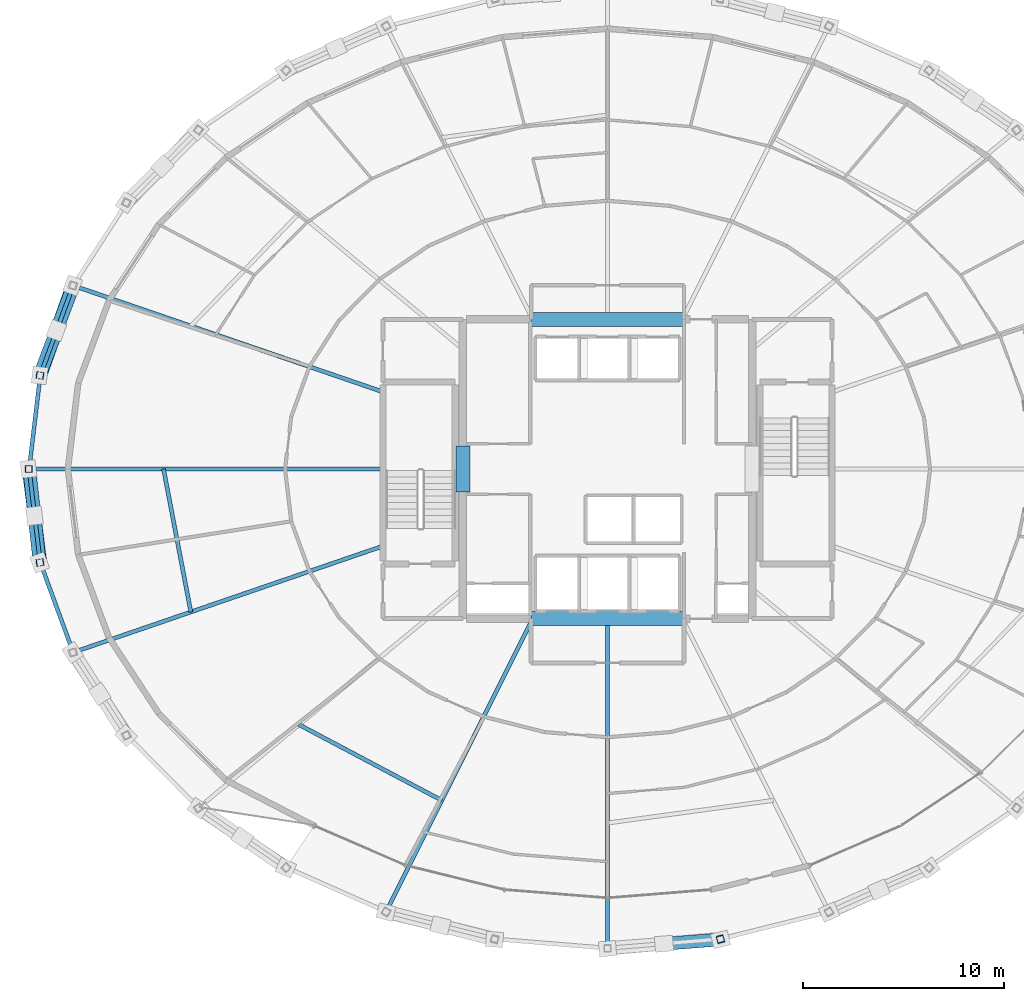
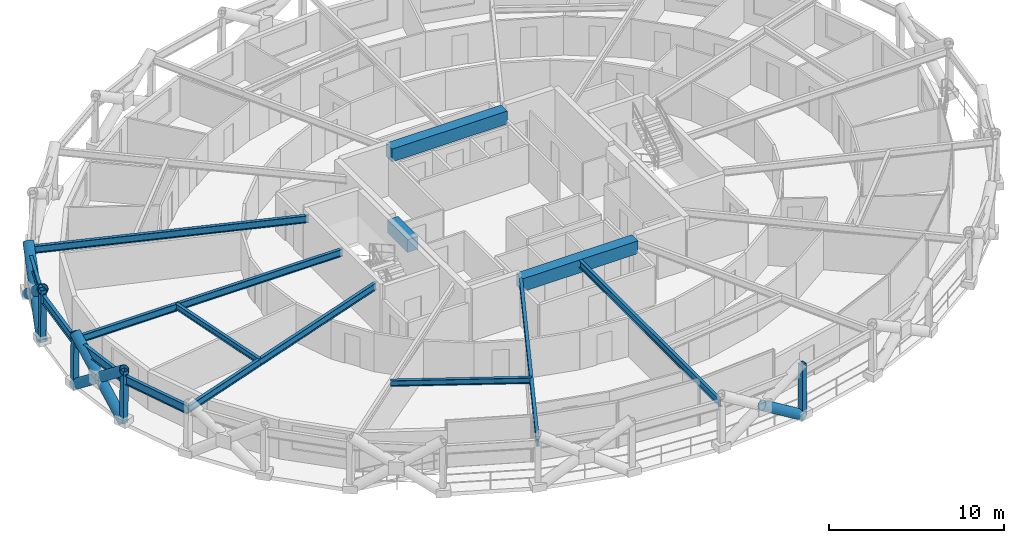
# One storey, part 5 of 23: 14 beams, 11 members.
"""IFC4 building model written with IfcOpenShell, lengths in metres."""

from ifc_helpers import new_model, si_unit, direction, frame, origin, origin_2d, place, context, subcontext, project, spatial, rectangle, hollow_rectangle, hollow_circle, i_section, extrude, material, material_profile, profile_set, type_object, element, save


model = new_model("IFC4")

# Units and contexts
model_context = context("Model", 3, precision=1e-05, world=origin(), true_north=direction((0.0, 1.0)))
body_context = subcontext(model_context, "Body", "Model", "MODEL_VIEW")
ifc_project = project(units=[si_unit("LENGTHUNIT", "METRE"), si_unit("AREAUNIT", "SQUARE_METRE"), si_unit("VOLUMEUNIT", "CUBIC_METRE"), si_unit("PLANEANGLEUNIT", "RADIAN"), si_unit("MASSUNIT", "GRAM", prefix="KILO")], contexts=[model_context])

# Site, building, storey
site_placement = place(None, origin())
site = spatial("IfcSite", under=ifc_project, at=site_placement, CompositionType="ELEMENT")
building_placement = place(site_placement, origin())
building = spatial("IfcBuilding", under=site, at=building_placement, Name="Veldorina Hangang Commons", CompositionType="ELEMENT")
storey_placement = place(building_placement, frame((0.0, 0.0, 102.39990234375)))
storey = spatial("IfcBuildingStorey", under=building, at=storey_placement, Name="L26", CompositionType="ELEMENT", Elevation=102.39990234375)

# Beams
ifc_material_1 = material(Name="Concrete C70/85", Category="concrete")
ifc_material_profile_1 = material_profile(ifc_material_1, rectangle(XDim=0.699951171875, YDim=0.89990234375, at=origin_2d()), Name="RC-CB-700x900")
ifc_profile_set_1 = profile_set([ifc_material_profile_1], Name="Concrete C70/85")
beam_type_1 = type_object("IfcBeamType", Name="BM-CB900", PredefinedType="LINTEL", material=ifc_profile_set_1)
beam_1_placement = place(storey_placement, frame((24.800048828125, 22.85009765625, 2.85009765625), z_axis=(0.0, 1.0, 0.0), x_axis=(-1.0, 0.0, 0.0)))
element("IfcBeam", 1, at=beam_1_placement, inside=storey, type_object=beam_type_1, Name="L26 W core coupling lintel beam", PredefinedType="LINTEL", context=body_context, shape_type="SweptSolid", body=[
    extrude(rectangle(XDim=0.699951171875, YDim=0.89990234375, at=origin_2d()), origin(), (0.0, 0.0, 1.0), 2.2998046875),
])
for number, where, z_axis, x_axis, name in (
    (2, (28.199951171875, 16.550048828125, 2.85009765625), (1.0, 0.0, 0.0), (0.0, 1.0, 0.0), "L26 south core coupling beam"),
    (3, (28.199951171875, 31.449951171875, 2.85009765625), (1.0, 0.0, 0.0), (0.0, 1.0, 0.0), "L26 north core coupling beam"),
):
    element("IfcBeam", number, at=place(storey_placement, frame(where, z_axis=z_axis, x_axis=x_axis)), inside=storey, type_object=beam_type_1, Name=name, PredefinedType="LINTEL", context=body_context, shape_type="SweptSolid", body=[
        extrude(rectangle(XDim=0.699951171875, YDim=0.89990234375, at=origin_2d()), origin(), (0.0, 0.0, 1.0), 7.60009765625),
    ])
ifc_material_2 = material(Name="Steel SM420-TMC", Category="steel")
ifc_material_profile_2 = material_profile(ifc_material_2, i_section(OverallWidth=0.199951171875, OverallDepth=0.5, WebThickness=0.010009765625, FlangeThickness=0.01611328125, FilletRadius=0.01611328125, at=origin_2d()), Name="H-500x200x10x16")
ifc_profile_set_2 = profile_set([ifc_material_profile_2], Name="Steel SM420-TMC")
beam_type_2 = type_object("IfcBeamType", Name="BM-FG500", PredefinedType="BEAM", material=ifc_profile_set_2)
beam_2_placement = place(storey_placement, frame((20.820068359375, 27.8369140625, 3.050048828125), z_axis=(-0.945852956014, 0.324595418327, 0.0), x_axis=(-0.324595418327, -0.945852956014, 0.0)))
element("IfcBeam", 4, at=beam_2_placement, inside=storey, type_object=beam_type_2, Name="L26 radial floor girder 08", PredefinedType="BEAM", context=body_context, shape_type="SweptSolid", body=[
    extrude(i_section(OverallWidth=0.199951171875, OverallDepth=0.5, WebThickness=0.010009765625, FlangeThickness=0.01611328125, FilletRadius=0.01611328125, at=origin_2d()), origin(), (0.0, 0.0, 1.0), 16.30029296875),
])
beam_3_placement = place(storey_placement, frame((20.820068359375, 24.0, 3.050048828125), z_axis=(-1.0, 0.0, 0.0), x_axis=(0.0, -1.0, 0.0)))
element("IfcBeam", 5, at=beam_3_placement, inside=storey, type_object=beam_type_2, Name="L26 radial floor girder 09", PredefinedType="BEAM", context=body_context, shape_type="SweptSolid", body=[
    extrude(i_section(OverallWidth=0.199951171875, OverallDepth=0.5, WebThickness=0.010009765625, FlangeThickness=0.01611328125, FilletRadius=0.01611328125, at=origin_2d()), origin(), (0.0, 0.0, 1.0), 17.609130859375),
])
beam_4_placement = place(storey_placement, frame((20.820068359375, 20.1630859375, 3.050048828125), z_axis=(-0.945852956014, -0.324595418327, 0.0), x_axis=(0.324595418327, -0.945852956014, 0.0)))
element("IfcBeam", 6, at=beam_4_placement, inside=storey, type_object=beam_type_2, Name="L26 radial floor girder 10", PredefinedType="BEAM", context=body_context, shape_type="SweptSolid", body=[
    extrude(i_section(OverallWidth=0.199951171875, OverallDepth=0.5, WebThickness=0.010009765625, FlangeThickness=0.01611328125, FilletRadius=0.01611328125, at=origin_2d()), origin(), (0.0, 0.0, 1.0), 16.30029296875),
])
beam_5_placement = place(storey_placement, frame((28.275390625, 16.550048828125, 3.050048828125), z_axis=(-0.447171677342, -0.894448148851, 0.0), x_axis=(0.894448148851, -0.447171677342, 0.0)))
element("IfcBeam", 7, at=beam_5_placement, inside=storey, type_object=beam_type_2, Name="L26 radial floor girder 12", PredefinedType="BEAM", context=body_context, shape_type="SweptSolid", body=[
    extrude(i_section(OverallWidth=0.199951171875, OverallDepth=0.5, WebThickness=0.010009765625, FlangeThickness=0.01611328125, FilletRadius=0.01611328125, at=origin_2d()), origin(), (0.0, 0.0, 1.0), 16.30810546875),
])
beam_6_placement = place(storey_placement, frame((32.0, 16.550048828125, 3.050048828125), z_axis=(0.0, -1.0, 0.0), x_axis=(1.0, 0.0, 0.0)))
element("IfcBeam", 8, at=beam_6_placement, inside=storey, type_object=beam_type_2, Name="L26 radial floor girder 13", PredefinedType="BEAM", context=body_context, shape_type="SweptSolid", body=[
    extrude(i_section(OverallWidth=0.199951171875, OverallDepth=0.5, WebThickness=0.010009765625, FlangeThickness=0.01611328125, FilletRadius=0.01611328125, at=origin_2d()), origin(), (0.0, 0.0, 1.0), 16.40234375),
])
ifc_material_3 = material(Name="Steel SM355-TMC", Category="steel")
ifc_material_profile_3 = material_profile(ifc_material_3, i_section(OverallWidth=0.199951171875, OverallDepth=0.39990234375, WebThickness=0.008056640625, FlangeThickness=0.012939453125, FilletRadius=0.012939453125, at=origin_2d()), Name="H-400x200x8x13")
ifc_profile_set_3 = profile_set([ifc_material_profile_3], Name="Steel SM355-TMC")
beam_type_3 = type_object("IfcBeamType", Name="BM-JST400", PredefinedType="JOIST", material=ifc_profile_set_3)
beam_7_placement = place(storey_placement, frame((9.90234375, 24.0, 3.10009765625), z_axis=(0.187510012304, -0.982262691588, 0.0), x_axis=(0.982262691588, 0.187510012304, 0.0)))
element("IfcBeam", 9, at=beam_7_placement, inside=storey, type_object=beam_type_3, Name="L26 secondary floor joist 09", PredefinedType="JOIST", context=body_context, shape_type="SweptSolid", body=[
    extrude(i_section(OverallWidth=0.199951171875, OverallDepth=0.39990234375, WebThickness=0.008056640625, FlangeThickness=0.012939453125, FilletRadius=0.012939453125, at=origin_2d()), origin(), (0.0, 0.0, 1.0), 7.24560546875),
])
beam_8_placement = place(storey_placement, frame((16.642578125, 11.276123046875, 3.10009765625), z_axis=(0.883520683716, -0.468392144945, 0.0), x_axis=(0.468392144945, 0.883520683716, 0.0)))
element("IfcBeam", 10, at=beam_8_placement, inside=storey, type_object=beam_type_3, Name="L26 secondary floor joist 11", PredefinedType="JOIST", context=body_context, shape_type="SweptSolid", body=[
    extrude(i_section(OverallWidth=0.199951171875, OverallDepth=0.39990234375, WebThickness=0.008056640625, FlangeThickness=0.012939453125, FilletRadius=0.012939453125, at=origin_2d()), origin(), (0.0, 0.0, 1.0), 8.048828125),
])
ifc_material_profile_4 = material_profile(ifc_material_2, i_section(OverallWidth=0.199951171875, OverallDepth=0.60009765625, WebThickness=0.010986328125, FlangeThickness=0.01708984375, FilletRadius=0.01806640625, at=origin_2d()), Name="H-600x200x11x17")
ifc_profile_set_4 = profile_set([ifc_material_profile_4], Name="Steel SM420-TMC")
beam_type_4 = type_object("IfcBeamType", Name="BM-RB600", PredefinedType="BEAM", material=ifc_profile_set_4)
beam_9_placement = place(storey_placement, frame((5.40234375, 33.1279296875, 3.0), z_axis=(-0.343790927436, -0.939046217293, 0.0), x_axis=(0.939046217293, -0.343790927436, 0.0)))
element("IfcBeam", 11, at=beam_9_placement, inside=storey, type_object=beam_type_4, Name="L26 perimeter hoop ring beam 14", PredefinedType="BEAM", context=body_context, shape_type="SweptSolid", body=[
    extrude(i_section(OverallWidth=0.199951171875, OverallDepth=0.60009765625, WebThickness=0.010986328125, FlangeThickness=0.01708984375, FilletRadius=0.01806640625, at=origin_2d()), origin(), (0.0, 0.0, 1.0), 4.76513671875),
])
for number, where, z_axis, x_axis, name in (
    (12, (3.76416015625, 28.6533203125, 3.0), (-0.118056329225, -0.99300689984, 0.0), (0.99300689984, -0.118056329225, 0.0), "L26 perimeter hoop ring beam 15"),
    (13, (3.2109375, 24.0, 3.0), (0.118056329225, -0.99300689984, 0.0), (0.99300689984, 0.118056329225, 0.0), "L26 perimeter hoop ring beam 16"),
):
    element("IfcBeam", number, at=place(storey_placement, frame(where, z_axis=z_axis, x_axis=x_axis)), inside=storey, type_object=beam_type_4, Name=name, PredefinedType="BEAM", context=body_context, shape_type="SweptSolid", body=[
        extrude(i_section(OverallWidth=0.199951171875, OverallDepth=0.60009765625, WebThickness=0.010986328125, FlangeThickness=0.01708984375, FilletRadius=0.01806640625, at=origin_2d()), origin(), (0.0, 0.0, 1.0), 4.68603515625),
    ])
beam_10_placement = place(storey_placement, frame((3.76416015625, 19.3466796875, 3.0), z_axis=(0.343790927436, -0.939046217293, 0.0), x_axis=(0.939046217293, 0.343790927436, 0.0)))
element("IfcBeam", 14, at=beam_10_placement, inside=storey, type_object=beam_type_4, Name="L26 perimeter hoop ring beam 17", PredefinedType="BEAM", context=body_context, shape_type="SweptSolid", body=[
    extrude(i_section(OverallWidth=0.199951171875, OverallDepth=0.60009765625, WebThickness=0.010986328125, FlangeThickness=0.01708984375, FilletRadius=0.01806640625, at=origin_2d()), origin(), (0.0, 0.0, 1.0), 4.76513671875),
])

# Members
ifc_material_4 = material(Name="Steel SM460-TMC", Category="steel")
ifc_material_profile_5 = material_profile(ifc_material_4, hollow_circle(Radius=0.324951171875, WallThickness=0.031982421875, at=origin_2d()), Name="CHS-650x32")
ifc_profile_set_5 = profile_set([ifc_material_profile_5], Name="Steel SM460-TMC")
member_type_1 = type_object("IfcMemberType", Name="DG-CHS650", PredefinedType="BRACE", material=ifc_profile_set_5)
member_1_placement = place(storey_placement, frame((5.374267578125, 33.135986328125, 0.0), z_axis=(-0.268701900147, -0.751056574474, 0.603086486996), x_axis=(0.941556168768, -0.336856024222, 0.0)))
element("IfcMember", 15, at=member_1_placement, inside=storey, type_object=member_type_1, Name="L26 continuous perimeter diagrid brace 14", PredefinedType="BRACE", context=body_context, shape_type="SweptSolid", body=[
    extrude(hollow_circle(Radius=0.324951171875, WallThickness=0.031982421875, at=origin_2d()), origin(), (0.0, 0.0, 1.0), 5.969482421875),
])
member_2_placement = place(storey_placement, frame((3.734130859375, 28.657470703125, 0.0), z_axis=(0.280100262448, 0.747559925164, 0.602244137593), x_axis=(-0.936425802, 0.350865668523, 0.0)))
element("IfcMember", 16, at=member_2_placement, inside=storey, type_object=member_type_1, Name="L26 split perimeter diagrid lower brace 15", PredefinedType="BRACE", context=body_context, shape_type="SweptSolid", body=[
    extrude(hollow_circle(Radius=0.324951171875, WallThickness=0.031982421875, at=origin_2d()), origin(), (0.0, 0.0, 1.0), 2.990478515625),
])
member_3_placement = place(storey_placement, frame((4.57177734375, 30.89306640625, 1.801025390625), z_axis=(0.280005104125, 0.747579301643, 0.602264335171), x_axis=(-0.936467948192, 0.350753163934, 0.0)))
element("IfcMember", 17, at=member_3_placement, inside=storey, type_object=member_type_1, Name="L26 split perimeter diagrid upper brace 15", PredefinedType="BRACE", context=body_context, shape_type="SweptSolid", body=[
    extrude(hollow_circle(Radius=0.324951171875, WallThickness=0.031982421875, at=origin_2d()), origin(), (0.0, 0.0, 1.0), 2.987060546875),
])
member_4_placement = place(storey_placement, frame((3.180419921875, 24.0, 0.0), z_axis=(0.099765671639, -0.786934770047, 0.608917464402), x_axis=(0.992059317953, 0.12577086174, 0.0)))
element("IfcMember", 18, at=member_4_placement, inside=storey, type_object=member_type_1, Name="L26 continuous perimeter diagrid brace 16", PredefinedType="BRACE", context=body_context, shape_type="SweptSolid", body=[
    extrude(hollow_circle(Radius=0.324951171875, WallThickness=0.031982421875, at=origin_2d()), origin(), (0.0, 0.0, 1.0), 5.912353515625),
])
member_5_placement = place(storey_placement, frame((3.734130859375, 19.342529296875, 0.0), z_axis=(-0.087455114992, 0.788169610462, 0.609212826528), x_axis=(-0.993900233368, -0.110282936624, 0.0)))
element("IfcMember", 19, at=member_5_placement, inside=storey, type_object=member_type_1, Name="L26 split perimeter diagrid lower brace 17", PredefinedType="BRACE", context=body_context, shape_type="SweptSolid", body=[
    extrude(hollow_circle(Radius=0.324951171875, WallThickness=0.031982421875, at=origin_2d()), origin(), (0.0, 0.0, 1.0), 2.956298828125),
])
member_6_placement = place(storey_placement, frame((3.4755859375, 21.672607421875, 1.801025390625), z_axis=(-0.087553039523, 0.788142706113, 0.609233567748), x_axis=(-0.993886277275, -0.110408640264, 0.0)))
element("IfcMember", 20, at=member_6_placement, inside=storey, type_object=member_type_1, Name="L26 split perimeter diagrid upper brace 17", PredefinedType="BRACE", context=body_context, shape_type="SweptSolid", body=[
    extrude(hollow_circle(Radius=0.324951171875, WallThickness=0.031982421875, at=origin_2d()), origin(), (0.0, 0.0, 1.0), 2.953125),
])
member_7_placement = place(storey_placement, frame((37.622314453125, 0.5849609375, 0.0), z_axis=(-0.840377082238, -0.064694885605, 0.538127244641), x_axis=(0.076756054809, -0.997049902487, 0.0)))
element("IfcMember", 21, at=member_7_placement, inside=storey, type_object=member_type_1, Name="L26 split perimeter diagrid lower brace 25", PredefinedType="BRACE", context=body_context, shape_type="SweptSolid", body=[
    extrude(hollow_circle(Radius=0.324951171875, WallThickness=0.031982421875, at=origin_2d()), origin(), (0.0, 0.0, 1.0), 3.347412109375),
])
ifc_material_profile_6 = material_profile(ifc_material_3, hollow_rectangle(XDim=0.35009765625, YDim=0.35009765625, WallThickness=0.01611328125, at=origin_2d()), Name="SHS-350x350x16")
ifc_profile_set_6 = profile_set([ifc_material_profile_6], Name="Steel SM355-TMC")
member_type_2 = type_object("IfcMemberType", Name="STR-SHS350", PredefinedType="STRUT", material=ifc_profile_set_6)
for number, where, z_axis, x_axis, name in (
    (22, (3.734130859375, 28.657470703125, 0.0), (0.010036105395, -0.001356230459, 0.999948717299), (0.133917896001, 0.99099243041, 0.0), "L26 perimeter ring node post 15"),
    (23, (3.180419921875, 24.0, 0.0), (0.010171723857, 0.0, 0.999948266679), (0.0, 1.0, 0.0), "L26 perimeter ring node post 16"),
    (24, (3.734130859375, 19.342529296875, 0.0), (0.010036105395, 0.001356230459, 0.999948717299), (-0.133917896001, 0.99099243041, 0.0), "L26 perimeter ring node post 17"),
):
    element("IfcMember", number, at=place(storey_placement, frame(where, z_axis=z_axis, x_axis=x_axis)), inside=storey, type_object=member_type_2, Name=name, PredefinedType="STRUT", context=body_context, shape_type="SweptSolid", body=[
        extrude(hollow_rectangle(XDim=0.35009765625, YDim=0.35009765625, WallThickness=0.01611328125, at=origin_2d()), origin(), (0.0, 0.0, 1.0), 3.600341796875),
    ])
member_8_placement = place(storey_placement, frame((37.622314453125, 0.5849609375, 0.0), z_axis=(-0.001966583243, 0.006984761174, 0.999973672484), x_axis=(-0.962574785843, -0.271016201839, 0.0)))
element("IfcMember", 25, at=member_8_placement, inside=storey, type_object=member_type_2, Name="L26 perimeter ring node post 25", PredefinedType="STRUT", context=body_context, shape_type="SweptSolid", body=[
    extrude(hollow_rectangle(XDim=0.35009765625, YDim=0.35009765625, WallThickness=0.01611328125, at=origin_2d()), origin(), (0.0, 0.0, 1.0), 3.60009765625),
])

save(model, "model.ifc")
